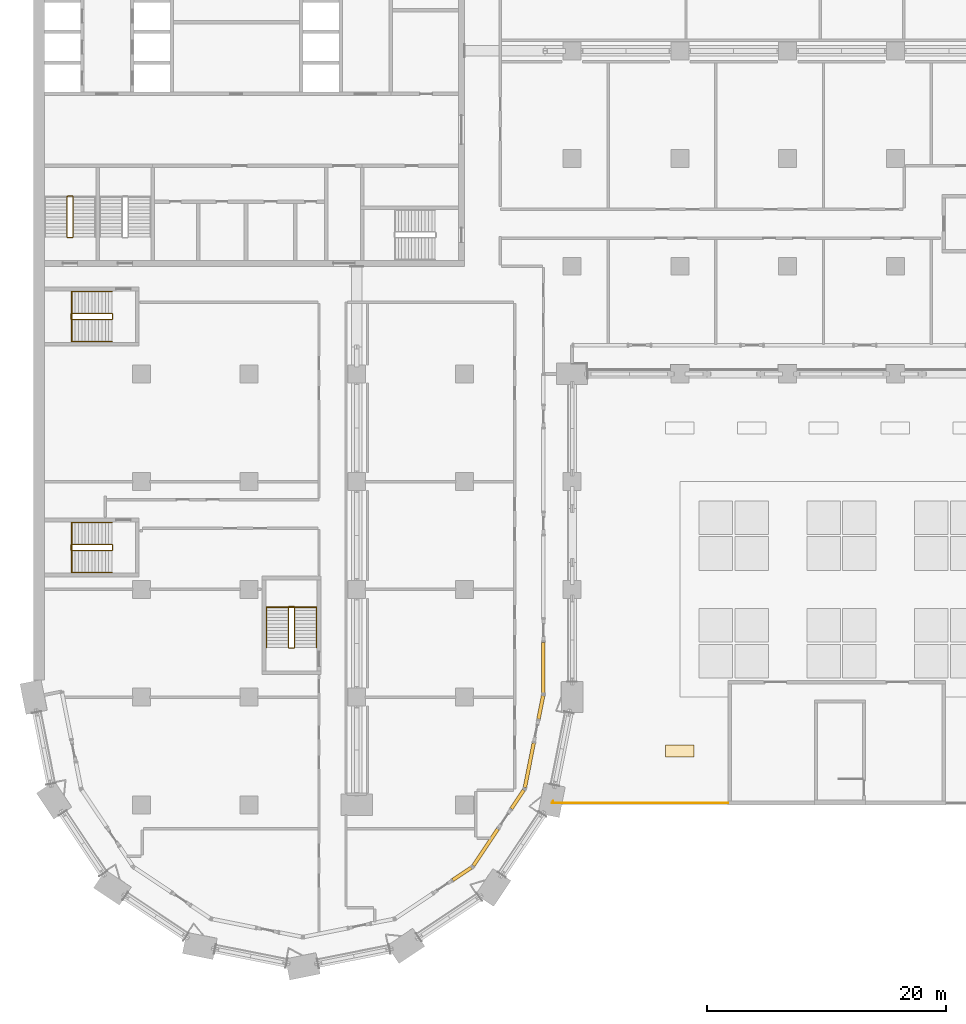
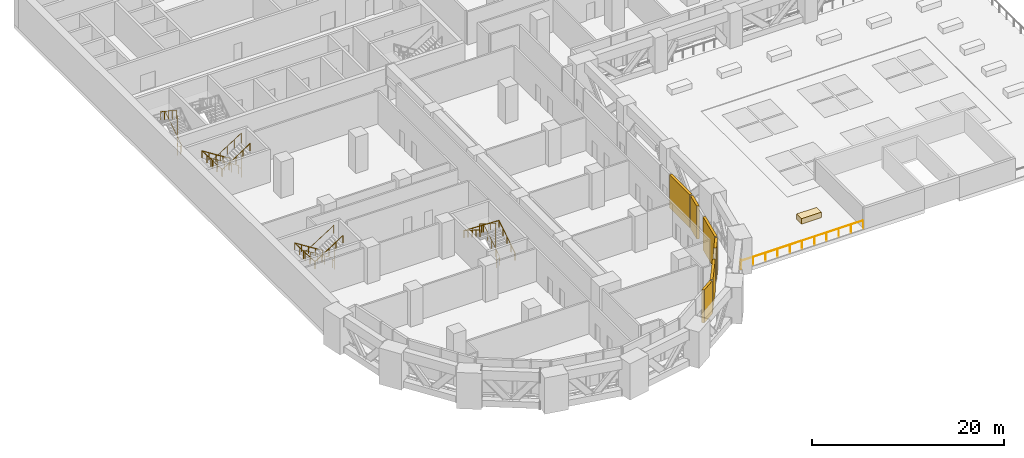
# One storey, part 27 of 31: 8 railings, 6 shading devices, 1 covering.
"""IFC4 building model written with IfcOpenShell, lengths in metres."""

from ifc_helpers import new_model, si_unit, direction, frame, origin, origin_2d, place, context, subcontext, project, spatial, polyline, rectangle, circle, outline, extrude, material, layer, layer_set, type_object, element, save


model = new_model("IFC4")

# Units and contexts
model_context = context("Model", 3, precision=1e-05, world=origin(), true_north=direction((0.0, 1.0)))
body_context = subcontext(model_context, "Body", "Model", "MODEL_VIEW")
ifc_project = project(units=[si_unit("LENGTHUNIT", "METRE"), si_unit("AREAUNIT", "SQUARE_METRE"), si_unit("VOLUMEUNIT", "CUBIC_METRE"), si_unit("PLANEANGLEUNIT", "RADIAN"), si_unit("MASSUNIT", "GRAM", prefix="KILO")], contexts=[model_context])

# Site, building, storey
site_placement = place(None, origin())
site = spatial("IfcSite", under=ifc_project, at=site_placement, CompositionType="ELEMENT")
building_placement = place(site_placement, origin())
building = spatial("IfcBuilding", under=site, at=building_placement, Name="Hunhe Ridgeline Campus", CompositionType="ELEMENT")
storey_placement = place(building_placement, frame((0.0, 0.0, 31.199951171875)))
storey = spatial("IfcBuildingStorey", under=building, at=storey_placement, Name="L06", CompositionType="ELEMENT", Elevation=31.199951171875)

# Shading devices
ifc_material_1 = material(Name="Aluminium 6063", Category="aluminium")
ifc_layer = layer(ifc_material_1, 0.300048828125)
ifc_layer_set = layer_set([ifc_layer], Name="Louvre bank 300 Aluminium 6063")
shading_device_type = type_object("IfcShadingDeviceType", Name="Louvre bank 300 Aluminium 6063", PredefinedType="USERDEFINED", material=ifc_layer_set)
shading_device_1_placement = place(storey_placement, frame((35.80078125, 12.234375, 0.0), z_axis=(0.0, 0.0, 1.0), x_axis=(0.831469622629, 0.555570217564, 0.0)))
element("IfcShadingDevice", 1, at=shading_device_1_placement, inside=storey, type_object=shading_device_type, Name="Louvre bank 12", ObjectType="LOUVRE", PredefinedType="USERDEFINED", context=body_context, shape_type="SweptSolid", body=[
    extrude(rectangle(XDim=1.871826171875, YDim=0.300048828125, at=origin_2d()), origin(), (0.0, 0.0, 1.0), 4.199951171875),
])
shading_device_2_placement = place(storey_placement, frame((37.765625, 14.447509765625, 0.0), z_axis=(0.0, 0.0, 1.0), x_axis=(0.555570362959, 0.83146952548, 0.0)))
element("IfcShadingDevice", 2, at=shading_device_2_placement, inside=storey, type_object=shading_device_type, Name="Louvre bank 13", ObjectType="LOUVRE", PredefinedType="USERDEFINED", context=body_context, shape_type="SweptSolid", body=[
    extrude(rectangle(XDim=3.671875, YDim=0.300048828125, at=origin_2d()), origin(), (0.0, 0.0, 1.0), 4.199951171875),
])
shading_device_3_placement = place(storey_placement, frame((40.43896484375, 18.448486328125, 0.0), z_axis=(0.0, 0.0, 1.0), x_axis=(0.555570217564, 0.831469622629, 0.0)))
element("IfcShadingDevice", 3, at=shading_device_3_placement, inside=storey, type_object=shading_device_type, Name="Louvre bank 14", ObjectType="LOUVRE", PredefinedType="USERDEFINED", context=body_context, shape_type="SweptSolid", body=[
    extrude(rectangle(XDim=1.871826171875, YDim=0.300048828125, at=origin_2d()), origin(), (0.0, 0.0, 1.0), 4.199951171875),
])
shading_device_4_placement = place(storey_placement, frame((41.4189453125, 21.303955078125, 0.0), z_axis=(0.0, 0.0, 1.0), x_axis=(0.195090179937, 0.980785308664, 0.0)))
element("IfcShadingDevice", 4, at=shading_device_4_placement, inside=storey, type_object=shading_device_type, Name="Louvre bank 15", ObjectType="LOUVRE", PredefinedType="USERDEFINED", context=body_context, shape_type="SweptSolid", body=[
    extrude(rectangle(XDim=3.79248046875, YDim=0.300048828125, at=origin_2d()), origin(), (0.0, 0.0, 1.0), 4.199951171875),
])
shading_device_5_placement = place(storey_placement, frame((42.38134765625, 26.1416015625, 0.0), z_axis=(0.0, 0.0, 1.0), x_axis=(0.195090357587, 0.980785273328, 0.0)))
element("IfcShadingDevice", 5, at=shading_device_5_placement, inside=storey, type_object=shading_device_type, Name="Louvre bank 16", ObjectType="LOUVRE", PredefinedType="USERDEFINED", context=body_context, shape_type="SweptSolid", body=[
    extrude(rectangle(XDim=1.992431640625, YDim=0.300048828125, at=origin_2d()), origin(), (0.0, 0.0, 1.0), 4.199951171875),
])
shading_device_6_placement = place(storey_placement, frame((42.59912109375, 29.466796875, 0.0), z_axis=(0.0, 0.0, 1.0), x_axis=(2.24188e-07, 1.0, 0.0)))
element("IfcShadingDevice", 6, at=shading_device_6_placement, inside=storey, type_object=shading_device_type, Name="Louvre bank 17", ObjectType="LOUVRE", PredefinedType="USERDEFINED", context=body_context, shape_type="SweptSolid", body=[
    extrude(rectangle(XDim=4.220703125, YDim=0.300048828125, at=origin_2d()), origin(), (0.0, 0.0, 1.0), 4.199951171875),
])

# Covering
ifc_material_2 = material(Name="Planting soil")
covering_type = type_object("IfcCoveringType", Name="Podium garden planter 700 planting soil", PredefinedType="USERDEFINED", material=ifc_material_2)
covering_placement = place(storey_placement, frame((0.0, 0.0, 0.080078125)))
element("IfcCovering", 7, at=covering_placement, inside=storey, type_object=covering_type, Name="Garden planter 1", ObjectType="PLANTER", PredefinedType="USERDEFINED", context=body_context, shape_type="SweptSolid", body=[
    extrude(outline(polyline([(52.800048828125, 22.0), (55.199951171875, 22.0), (55.199951171875, 23.0), (52.800048828125, 23.0), (52.800048828125, 22.0)])), origin(), (0.0, 0.0, 1.0), 0.699951171875),
])

# Railings
ifc_material_3 = material(Name="Stainless steel balustrade", Category="steel")
railing_type_1 = type_object("IfcRailingType", Name="Stair guard 1100 stainless", PredefinedType="GUARDRAIL", material=ifc_material_3)
railing_1_placement = place(storey_placement, frame((3.300048828125, 65.449951171875, 0.177001953125)))
element("IfcRailing", 8, at=railing_1_placement, inside=storey, type_object=railing_type_1, Name="L06 stair S3 guard", PredefinedType="GUARDRAIL", context=body_context, shape_type="SweptSolid", body=[
    extrude(circle(Radius=0.02392578125, at=origin_2d()), frame((0.0, 0.0, 1.076171875), z_axis=(0.0, 0.845389635667, 0.534150132366), x_axis=(-1.0, 0.0, 0.0)), (0.0, 0.0, 1.0), 3.974609375),
    extrude(circle(Radius=0.02392578125, at=origin_2d()), frame((0.0, 3.360107421875, 3.19921875), z_axis=(-0.707106781187, 0.707106781187, 0.0), x_axis=(-0.707106781187, -0.707106781187, 0.0)), (0.0, 0.0, 1.0), 0.07080078125),
    extrude(circle(Radius=0.02392578125, at=origin_2d()), frame((-0.050048828125, 3.41015625, 3.19921875), z_axis=(-1.0, 0.0, 0.0), x_axis=(0.0, -1.0, 0.0)), (0.0, 0.0, 1.0), 0.39990234375),
    extrude(circle(Radius=0.02392578125, at=origin_2d()), frame((-0.449951171875, 3.41015625, 3.19921875), z_axis=(-0.262545553595, -0.262545553595, 0.928514762713), x_axis=(0.707106781187, -0.707106781187, 0.0)), (0.0, 0.0, 1.0), 0.190673828125),
    extrude(circle(Radius=0.02392578125, at=origin_2d()), frame((-0.5, 3.360107421875, 3.3759765625), z_axis=(0.0, -0.845389635667, 0.534150132366), x_axis=(1.0, 0.0, 0.0)), (0.0, 0.0, 1.0), 3.974609375),
    extrude(circle(Radius=0.02392578125, at=origin_2d()), frame((-0.5, 0.0, 5.4990234375), z_axis=(0.010878661383, -0.010878661383, -0.999881647723), x_axis=(0.707106781187, 0.707106781187, 0.0)), (0.0, 0.0, 1.0), 4.6005859375),
    extrude(circle(Radius=0.02392578125, at=origin_2d()), frame((-0.449951171875, -0.050048828125, 0.89892578125), z_axis=(1.0, 0.0, 0.0), x_axis=(0.0, 1.0, 0.0)), (0.0, 0.0, 1.0), 0.39990234375),
    extrude(circle(Radius=0.02099609375, at=origin_2d()), origin(), (0.0, 0.0, 1.0), 1.052001953125),
    extrude(circle(Radius=0.02099609375, at=origin_2d()), frame((0.0, 0.840087890625, 0.53076171875)), (0.0, 0.0, 1.0), 1.052001953125),
    extrude(circle(Radius=0.02099609375, at=origin_2d()), frame((0.0, 1.68017578125, 1.0615234375)), (0.0, 0.0, 1.0), 1.052001953125),
    extrude(circle(Radius=0.02099609375, at=origin_2d()), frame((0.0, 2.52001953125, 1.59228515625)), (0.0, 0.0, 1.0), 1.052001953125),
    extrude(circle(Radius=0.02099609375, at=origin_2d()), frame((0.0, 3.360107421875, 2.123046875)), (0.0, 0.0, 1.0), 1.052001953125),
    extrude(circle(Radius=0.02099609375, at=origin_2d()), frame((-0.050048828125, 3.41015625, 2.123046875)), (0.0, 0.0, 1.0), 1.052001953125),
    extrude(circle(Radius=0.02099609375, at=origin_2d()), frame((-0.449951171875, 3.41015625, 2.123046875)), (0.0, 0.0, 1.0), 1.052001953125),
    extrude(circle(Radius=0.02099609375, at=origin_2d()), frame((-0.5, 3.360107421875, 2.300048828125)), (0.0, 0.0, 1.0), 1.052001953125),
    extrude(circle(Radius=0.02099609375, at=origin_2d()), frame((-0.5, 2.52001953125, 2.830810546875)), (0.0, 0.0, 1.0), 1.052001953125),
    extrude(circle(Radius=0.02099609375, at=origin_2d()), frame((-0.5, 1.68017578125, 3.361572265625)), (0.0, 0.0, 1.0), 1.052001953125),
    extrude(circle(Radius=0.02099609375, at=origin_2d()), frame((-0.5, 0.840087890625, 3.892333984375)), (0.0, 0.0, 1.0), 1.052001953125),
    extrude(circle(Radius=0.02099609375, at=origin_2d()), frame((-0.5, 0.0, 4.423095703125)), (0.0, 0.0, 1.0), 1.052001953125),
    extrude(circle(Radius=0.02099609375, at=origin_2d()), frame((-0.487548828125, -0.012451171875, 3.27294921875)), (0.0, 0.0, 1.0), 1.052001953125),
    extrude(circle(Radius=0.02099609375, at=origin_2d()), frame((-0.47509765625, -0.02490234375, 2.123046875)), (0.0, 0.0, 1.0), 1.052001953125),
    extrude(circle(Radius=0.02099609375, at=origin_2d()), frame((-0.46240234375, -0.03759765625, 0.97314453125)), (0.0, 0.0, 1.0), 1.052001953125),
    extrude(circle(Radius=0.02099609375, at=origin_2d()), frame((-0.449951171875, -0.050048828125, -0.177001953125)), (0.0, 0.0, 1.0), 1.052001953125),
    extrude(circle(Radius=0.02099609375, at=origin_2d()), frame((-0.050048828125, -0.050048828125, -0.177001953125)), (0.0, 0.0, 1.0), 1.052001953125),
])
railing_2_placement = place(storey_placement, frame((21.800048828125, 31.14990234375, 0.177001953125)))
element("IfcRailing", 9, at=railing_2_placement, inside=storey, type_object=railing_type_1, Name="L06 stair W3 guard", PredefinedType="GUARDRAIL", context=body_context, shape_type="SweptSolid", body=[
    extrude(circle(Radius=0.02392578125, at=origin_2d()), frame((0.0, 0.0, 1.076171875), z_axis=(0.0, 0.845389635667, 0.534150132366), x_axis=(-1.0, 0.0, 0.0)), (0.0, 0.0, 1.0), 3.974609375),
    extrude(circle(Radius=0.02392578125, at=origin_2d()), frame((0.0, 3.360107421875, 3.19921875), z_axis=(-0.707106781187, 0.707106781187, 0.0), x_axis=(-0.707106781187, -0.707106781187, 0.0)), (0.0, 0.0, 1.0), 0.07080078125),
    extrude(circle(Radius=0.02392578125, at=origin_2d()), frame((-0.050048828125, 3.41015625, 3.19921875), z_axis=(-1.0, 0.0, 0.0), x_axis=(0.0, -1.0, 0.0)), (0.0, 0.0, 1.0), 0.39990234375),
    extrude(circle(Radius=0.02392578125, at=origin_2d()), frame((-0.449951171875, 3.41015625, 3.19921875), z_axis=(-0.262545553595, -0.262545553595, 0.928514762713), x_axis=(0.707106781187, -0.707106781187, 0.0)), (0.0, 0.0, 1.0), 0.190673828125),
    extrude(circle(Radius=0.02392578125, at=origin_2d()), frame((-0.5, 3.360107421875, 3.3759765625), z_axis=(0.0, -0.845389635667, 0.534150132366), x_axis=(1.0, 0.0, 0.0)), (0.0, 0.0, 1.0), 3.974609375),
    extrude(circle(Radius=0.02392578125, at=origin_2d()), frame((-0.5, 0.0, 5.4990234375), z_axis=(0.010878667648, -0.010825600977, -0.999882223541), x_axis=(0.705375805398, 0.708833529934, 0.0)), (0.0, 0.0, 1.0), 4.6005859375),
    extrude(circle(Radius=0.02392578125, at=origin_2d()), frame((-0.449951171875, -0.0498046875, 0.89892578125), z_axis=(1.0, 0.0, 0.0), x_axis=(0.0, 1.0, 0.0)), (0.0, 0.0, 1.0), 0.39990234375),
    extrude(circle(Radius=0.02099609375, at=origin_2d()), origin(), (0.0, 0.0, 1.0), 1.052001953125),
    extrude(circle(Radius=0.02099609375, at=origin_2d()), frame((0.0, 0.840087890625, 0.53076171875)), (0.0, 0.0, 1.0), 1.052001953125),
    extrude(circle(Radius=0.02099609375, at=origin_2d()), frame((0.0, 1.68017578125, 1.0615234375)), (0.0, 0.0, 1.0), 1.052001953125),
    extrude(circle(Radius=0.02099609375, at=origin_2d()), frame((0.0, 2.52001953125, 1.59228515625)), (0.0, 0.0, 1.0), 1.052001953125),
    extrude(circle(Radius=0.02099609375, at=origin_2d()), frame((0.0, 3.360107421875, 2.123046875)), (0.0, 0.0, 1.0), 1.052001953125),
    extrude(circle(Radius=0.02099609375, at=origin_2d()), frame((-0.050048828125, 3.41015625, 2.123046875)), (0.0, 0.0, 1.0), 1.052001953125),
    extrude(circle(Radius=0.02099609375, at=origin_2d()), frame((-0.449951171875, 3.41015625, 2.123046875)), (0.0, 0.0, 1.0), 1.052001953125),
    extrude(circle(Radius=0.02099609375, at=origin_2d()), frame((-0.5, 3.360107421875, 2.300048828125)), (0.0, 0.0, 1.0), 1.052001953125),
    extrude(circle(Radius=0.02099609375, at=origin_2d()), frame((-0.5, 2.52001953125, 2.830810546875)), (0.0, 0.0, 1.0), 1.052001953125),
    extrude(circle(Radius=0.02099609375, at=origin_2d()), frame((-0.5, 1.68017578125, 3.361572265625)), (0.0, 0.0, 1.0), 1.052001953125),
    extrude(circle(Radius=0.02099609375, at=origin_2d()), frame((-0.5, 0.840087890625, 3.892333984375)), (0.0, 0.0, 1.0), 1.052001953125),
    extrude(circle(Radius=0.02099609375, at=origin_2d()), frame((-0.5, 0.0, 4.423095703125)), (0.0, 0.0, 1.0), 1.052001953125),
    extrude(circle(Radius=0.02099609375, at=origin_2d()), frame((-0.487548828125, -0.012451171875, 3.27294921875)), (0.0, 0.0, 1.0), 1.052001953125),
    extrude(circle(Radius=0.02099609375, at=origin_2d()), frame((-0.47509765625, -0.02490234375, 2.123046875)), (0.0, 0.0, 1.0), 1.052001953125),
    extrude(circle(Radius=0.02099609375, at=origin_2d()), frame((-0.46240234375, -0.037353515625, 0.97314453125)), (0.0, 0.0, 1.0), 1.052001953125),
    extrude(circle(Radius=0.02099609375, at=origin_2d()), frame((-0.449951171875, -0.0498046875, -0.177001953125)), (0.0, 0.0, 1.0), 1.052001953125),
    extrude(circle(Radius=0.02099609375, at=origin_2d()), frame((-0.050048828125, -0.0498046875, -0.177001953125)), (0.0, 0.0, 1.0), 1.052001953125),
])
railing_3_placement = place(storey_placement, frame((6.550048828125, 39.75, 0.177001953125)))
element("IfcRailing", 10, at=railing_3_placement, inside=storey, type_object=railing_type_1, Name="L06 stair W1 guard", PredefinedType="GUARDRAIL", context=body_context, shape_type="SweptSolid", body=[
    extrude(circle(Radius=0.02392578125, at=origin_2d()), frame((0.0, 0.0, 1.076171875), z_axis=(-0.845389635667, 0.0, 0.534150132366), x_axis=(0.0, -1.0, 0.0)), (0.0, 0.0, 1.0), 3.974609375),
    extrude(circle(Radius=0.02392578125, at=origin_2d()), frame((-3.360107421875, 0.0, 3.19921875), z_axis=(-0.707106781187, -0.707106781187, 0.0), x_axis=(0.707106781187, -0.707106781187, 0.0)), (0.0, 0.0, 1.0), 0.07080078125),
    extrude(circle(Radius=0.02392578125, at=origin_2d()), frame((-3.41015625, -0.050048828125, 3.19921875), z_axis=(0.0, -1.0, 0.0), x_axis=(1.0, 0.0, 0.0)), (0.0, 0.0, 1.0), 0.39990234375),
    extrude(circle(Radius=0.02392578125, at=origin_2d()), frame((-3.41015625, -0.449951171875, 3.19921875), z_axis=(0.262545553595, -0.262545553595, 0.928514762713), x_axis=(0.707106781187, 0.707106781187, 0.0)), (0.0, 0.0, 1.0), 0.190673828125),
    extrude(circle(Radius=0.02392578125, at=origin_2d()), frame((-3.360107421875, -0.5, 3.3759765625), z_axis=(0.845389635667, 0.0, 0.534150132366), x_axis=(0.0, 1.0, 0.0)), (0.0, 0.0, 1.0), 3.974609375),
    extrude(circle(Radius=0.02392578125, at=origin_2d()), frame((0.0, -0.5, 5.4990234375), z_axis=(0.010878661383, 0.010878661383, -0.999881647723), x_axis=(-0.707106781187, 0.707106781187, 0.0)), (0.0, 0.0, 1.0), 4.6005859375),
    extrude(circle(Radius=0.02392578125, at=origin_2d()), frame((0.050048828125, -0.449951171875, 0.89892578125), z_axis=(0.0, 1.0, 0.0), x_axis=(-1.0, 0.0, 0.0)), (0.0, 0.0, 1.0), 0.39990234375),
    extrude(circle(Radius=0.02099609375, at=origin_2d()), origin(), (0.0, 0.0, 1.0), 1.052001953125),
    extrude(circle(Radius=0.02099609375, at=origin_2d()), frame((-0.840087890625, 0.0, 0.53076171875)), (0.0, 0.0, 1.0), 1.052001953125),
    extrude(circle(Radius=0.02099609375, at=origin_2d()), frame((-1.68017578125, 0.0, 1.0615234375)), (0.0, 0.0, 1.0), 1.052001953125),
    extrude(circle(Radius=0.02099609375, at=origin_2d()), frame((-2.52001953125, 0.0, 1.59228515625)), (0.0, 0.0, 1.0), 1.052001953125),
    extrude(circle(Radius=0.02099609375, at=origin_2d()), frame((-3.360107421875, 0.0, 2.123046875)), (0.0, 0.0, 1.0), 1.052001953125),
    extrude(circle(Radius=0.02099609375, at=origin_2d()), frame((-3.41015625, -0.050048828125, 2.123046875)), (0.0, 0.0, 1.0), 1.052001953125),
    extrude(circle(Radius=0.02099609375, at=origin_2d()), frame((-3.41015625, -0.449951171875, 2.123046875)), (0.0, 0.0, 1.0), 1.052001953125),
    extrude(circle(Radius=0.02099609375, at=origin_2d()), frame((-3.360107421875, -0.5, 2.300048828125)), (0.0, 0.0, 1.0), 1.052001953125),
    extrude(circle(Radius=0.02099609375, at=origin_2d()), frame((-2.52001953125, -0.5, 2.830810546875)), (0.0, 0.0, 1.0), 1.052001953125),
    extrude(circle(Radius=0.02099609375, at=origin_2d()), frame((-1.68017578125, -0.5, 3.361572265625)), (0.0, 0.0, 1.0), 1.052001953125),
    extrude(circle(Radius=0.02099609375, at=origin_2d()), frame((-0.840087890625, -0.5, 3.892333984375)), (0.0, 0.0, 1.0), 1.052001953125),
    extrude(circle(Radius=0.02099609375, at=origin_2d()), frame((0.0, -0.5, 4.423095703125)), (0.0, 0.0, 1.0), 1.052001953125),
    extrude(circle(Radius=0.02099609375, at=origin_2d()), frame((0.012451171875, -0.487548828125, 3.27294921875)), (0.0, 0.0, 1.0), 1.052001953125),
    extrude(circle(Radius=0.02099609375, at=origin_2d()), frame((0.02490234375, -0.47509765625, 2.123046875)), (0.0, 0.0, 1.0), 1.052001953125),
    extrude(circle(Radius=0.02099609375, at=origin_2d()), frame((0.03759765625, -0.46240234375, 0.97314453125)), (0.0, 0.0, 1.0), 1.052001953125),
    extrude(circle(Radius=0.02099609375, at=origin_2d()), frame((0.050048828125, -0.449951171875, -0.177001953125)), (0.0, 0.0, 1.0), 1.052001953125),
    extrude(circle(Radius=0.02099609375, at=origin_2d()), frame((0.050048828125, -0.050048828125, -0.177001953125)), (0.0, 0.0, 1.0), 1.052001953125),
])
railing_4_placement = place(storey_placement, frame((6.550048828125, 59.050048828125, 0.177001953125)))
element("IfcRailing", 11, at=railing_4_placement, inside=storey, type_object=railing_type_1, Name="L06 stair W2 guard", PredefinedType="GUARDRAIL", context=body_context, shape_type="SweptSolid", body=[
    extrude(circle(Radius=0.02392578125, at=origin_2d()), frame((0.0, 0.0, 1.076171875), z_axis=(-0.845389635667, 0.0, 0.534150132366), x_axis=(0.0, -1.0, 0.0)), (0.0, 0.0, 1.0), 3.974609375),
    extrude(circle(Radius=0.02392578125, at=origin_2d()), frame((-3.360107421875, 0.0, 3.19921875), z_axis=(-0.707106781187, -0.707106781187, 0.0), x_axis=(0.707106781187, -0.707106781187, 0.0)), (0.0, 0.0, 1.0), 0.07080078125),
    extrude(circle(Radius=0.02392578125, at=origin_2d()), frame((-3.41015625, -0.050048828125, 3.19921875), z_axis=(0.0, -1.0, 0.0), x_axis=(1.0, 0.0, 0.0)), (0.0, 0.0, 1.0), 0.39990234375),
    extrude(circle(Radius=0.02392578125, at=origin_2d()), frame((-3.41015625, -0.449951171875, 3.19921875), z_axis=(0.262545553595, -0.262545553595, 0.928514762713), x_axis=(0.707106781187, 0.707106781187, 0.0)), (0.0, 0.0, 1.0), 0.190673828125),
    extrude(circle(Radius=0.02392578125, at=origin_2d()), frame((-3.360107421875, -0.5, 3.3759765625), z_axis=(0.845389635667, 0.0, 0.534150132366), x_axis=(0.0, 1.0, 0.0)), (0.0, 0.0, 1.0), 3.974609375),
    extrude(circle(Radius=0.02392578125, at=origin_2d()), frame((0.0, -0.5, 5.4990234375), z_axis=(0.010878661383, 0.010878661383, -0.999881647723), x_axis=(-0.707106781187, 0.707106781187, 0.0)), (0.0, 0.0, 1.0), 4.6005859375),
    extrude(circle(Radius=0.02392578125, at=origin_2d()), frame((0.050048828125, -0.449951171875, 0.89892578125), z_axis=(0.0, 1.0, 0.0), x_axis=(-1.0, 0.0, 0.0)), (0.0, 0.0, 1.0), 0.39990234375),
    extrude(circle(Radius=0.02099609375, at=origin_2d()), origin(), (0.0, 0.0, 1.0), 1.052001953125),
    extrude(circle(Radius=0.02099609375, at=origin_2d()), frame((-0.840087890625, 0.0, 0.53076171875)), (0.0, 0.0, 1.0), 1.052001953125),
    extrude(circle(Radius=0.02099609375, at=origin_2d()), frame((-1.68017578125, 0.0, 1.0615234375)), (0.0, 0.0, 1.0), 1.052001953125),
    extrude(circle(Radius=0.02099609375, at=origin_2d()), frame((-2.52001953125, 0.0, 1.59228515625)), (0.0, 0.0, 1.0), 1.052001953125),
    extrude(circle(Radius=0.02099609375, at=origin_2d()), frame((-3.360107421875, 0.0, 2.123046875)), (0.0, 0.0, 1.0), 1.052001953125),
    extrude(circle(Radius=0.02099609375, at=origin_2d()), frame((-3.41015625, -0.050048828125, 2.123046875)), (0.0, 0.0, 1.0), 1.052001953125),
    extrude(circle(Radius=0.02099609375, at=origin_2d()), frame((-3.41015625, -0.449951171875, 2.123046875)), (0.0, 0.0, 1.0), 1.052001953125),
    extrude(circle(Radius=0.02099609375, at=origin_2d()), frame((-3.360107421875, -0.5, 2.300048828125)), (0.0, 0.0, 1.0), 1.052001953125),
    extrude(circle(Radius=0.02099609375, at=origin_2d()), frame((-2.52001953125, -0.5, 2.830810546875)), (0.0, 0.0, 1.0), 1.052001953125),
    extrude(circle(Radius=0.02099609375, at=origin_2d()), frame((-1.68017578125, -0.5, 3.361572265625)), (0.0, 0.0, 1.0), 1.052001953125),
    extrude(circle(Radius=0.02099609375, at=origin_2d()), frame((-0.840087890625, -0.5, 3.892333984375)), (0.0, 0.0, 1.0), 1.052001953125),
    extrude(circle(Radius=0.02099609375, at=origin_2d()), frame((0.0, -0.5, 4.423095703125)), (0.0, 0.0, 1.0), 1.052001953125),
    extrude(circle(Radius=0.02099609375, at=origin_2d()), frame((0.012451171875, -0.487548828125, 3.27294921875)), (0.0, 0.0, 1.0), 1.052001953125),
    extrude(circle(Radius=0.02099609375, at=origin_2d()), frame((0.02490234375, -0.47509765625, 2.123046875)), (0.0, 0.0, 1.0), 1.052001953125),
    extrude(circle(Radius=0.02099609375, at=origin_2d()), frame((0.03759765625, -0.46240234375, 0.97314453125)), (0.0, 0.0, 1.0), 1.052001953125),
    extrude(circle(Radius=0.02099609375, at=origin_2d()), frame((0.050048828125, -0.449951171875, -0.177001953125)), (0.0, 0.0, 1.0), 1.052001953125),
    extrude(circle(Radius=0.02099609375, at=origin_2d()), frame((0.050048828125, -0.050048828125, -0.177001953125)), (0.0, 0.0, 1.0), 1.052001953125),
])
ifc_material_4 = material(Name="Stainless steel handrail", Category="steel")
railing_type_2 = type_object("IfcRailingType", Name="Stair handrail 900 stainless", PredefinedType="HANDRAIL", material=ifc_material_4)
railing_5_placement = place(storey_placement, frame((23.64990234375, 31.14990234375, 0.177001953125)))
element("IfcRailing", 12, at=railing_5_placement, inside=storey, type_object=railing_type_2, Name="L06 stair W3 handrail", PredefinedType="HANDRAIL", context=body_context, shape_type="SweptSolid", body=[
    extrude(circle(Radius=0.02392578125, at=origin_2d()), frame((0.0, 0.0, 0.8759765625), z_axis=(0.0, 0.845389635667, 0.534150132366), x_axis=(-1.0, 0.0, 0.0)), (0.0, 0.0, 1.0), 3.974609375),
    extrude(circle(Radius=0.02392578125, at=origin_2d()), frame((0.0, 3.360107421875, 2.9990234375), z_axis=(-0.999113130752, 0.0, 0.042106436075), x_axis=(0.0, -1.0, 0.0)), (0.0, 0.0, 1.0), 4.20361328125),
    extrude(circle(Radius=0.02392578125, at=origin_2d()), frame((-4.199951171875, 3.360107421875, 3.17578125), z_axis=(0.0, -0.845389635667, 0.534150132366), x_axis=(1.0, 0.0, 0.0)), (0.0, 0.0, 1.0), 3.974609375),
    extrude(circle(Radius=0.02099609375, at=origin_2d()), origin(), (0.0, 0.0, 1.0), 0.851806640625),
    extrude(circle(Radius=0.02099609375, at=origin_2d()), frame((0.0, 0.840087890625, 0.53076171875)), (0.0, 0.0, 1.0), 0.851806640625),
    extrude(circle(Radius=0.02099609375, at=origin_2d()), frame((0.0, 1.68017578125, 1.0615234375)), (0.0, 0.0, 1.0), 0.851806640625),
    extrude(circle(Radius=0.02099609375, at=origin_2d()), frame((0.0, 2.52001953125, 1.59228515625)), (0.0, 0.0, 1.0), 0.851806640625),
    extrude(circle(Radius=0.02099609375, at=origin_2d()), frame((0.0, 3.360107421875, 2.123046875)), (0.0, 0.0, 1.0), 0.851806640625),
    extrude(circle(Radius=0.02099609375, at=origin_2d()), frame((-1.050048828125, 3.360107421875, 2.167236328125)), (0.0, 0.0, 1.0), 0.851806640625),
    extrude(circle(Radius=0.02099609375, at=origin_2d()), frame((-2.10009765625, 3.360107421875, 2.21142578125)), (0.0, 0.0, 1.0), 0.851806640625),
    extrude(circle(Radius=0.02099609375, at=origin_2d()), frame((-3.14990234375, 3.360107421875, 2.255859375)), (0.0, 0.0, 1.0), 0.851806640625),
    extrude(circle(Radius=0.02099609375, at=origin_2d()), frame((-4.199951171875, 3.360107421875, 2.300048828125)), (0.0, 0.0, 1.0), 0.851806640625),
    extrude(circle(Radius=0.02099609375, at=origin_2d()), frame((-4.199951171875, 2.52001953125, 2.830810546875)), (0.0, 0.0, 1.0), 0.851806640625),
    extrude(circle(Radius=0.02099609375, at=origin_2d()), frame((-4.199951171875, 1.68017578125, 3.361572265625)), (0.0, 0.0, 1.0), 0.851806640625),
    extrude(circle(Radius=0.02099609375, at=origin_2d()), frame((-4.199951171875, 0.840087890625, 3.892333984375)), (0.0, 0.0, 1.0), 0.851806640625),
    extrude(circle(Radius=0.02099609375, at=origin_2d()), frame((-4.199951171875, 0.0, 4.423095703125)), (0.0, 0.0, 1.0), 0.851806640625),
])
railing_6_placement = place(storey_placement, frame((6.550048828125, 41.60009765625, 0.177001953125)))
element("IfcRailing", 13, at=railing_6_placement, inside=storey, type_object=railing_type_2, Name="L06 stair W1 handrail", PredefinedType="HANDRAIL", context=body_context, shape_type="SweptSolid", body=[
    extrude(circle(Radius=0.02392578125, at=origin_2d()), frame((0.0, 0.0, 0.8759765625), z_axis=(-0.845389635667, 0.0, 0.534150132366), x_axis=(0.0, -1.0, 0.0)), (0.0, 0.0, 1.0), 3.974609375),
    extrude(circle(Radius=0.02392578125, at=origin_2d()), frame((-3.360107421875, 0.0, 2.9990234375), z_axis=(0.0, -0.999113233712, 0.042103992934), x_axis=(1.0, 0.0, 0.0)), (0.0, 0.0, 1.0), 4.203857421875),
    extrude(circle(Radius=0.02392578125, at=origin_2d()), frame((-3.360107421875, -4.2001953125, 3.17578125), z_axis=(0.845389635667, 0.0, 0.534150132366), x_axis=(0.0, 1.0, 0.0)), (0.0, 0.0, 1.0), 3.974609375),
    extrude(circle(Radius=0.02099609375, at=origin_2d()), origin(), (0.0, 0.0, 1.0), 0.851806640625),
    extrude(circle(Radius=0.02099609375, at=origin_2d()), frame((-0.840087890625, 0.0, 0.53076171875)), (0.0, 0.0, 1.0), 0.851806640625),
    extrude(circle(Radius=0.02099609375, at=origin_2d()), frame((-1.68017578125, 0.0, 1.0615234375)), (0.0, 0.0, 1.0), 0.851806640625),
    extrude(circle(Radius=0.02099609375, at=origin_2d()), frame((-2.52001953125, 0.0, 1.59228515625)), (0.0, 0.0, 1.0), 0.851806640625),
    extrude(circle(Radius=0.02099609375, at=origin_2d()), frame((-3.360107421875, 0.0, 2.123046875)), (0.0, 0.0, 1.0), 0.851806640625),
    extrude(circle(Radius=0.02099609375, at=origin_2d()), frame((-3.360107421875, -1.050048828125, 2.167236328125)), (0.0, 0.0, 1.0), 0.851806640625),
    extrude(circle(Radius=0.02099609375, at=origin_2d()), frame((-3.360107421875, -2.10009765625, 2.21142578125)), (0.0, 0.0, 1.0), 0.851806640625),
    extrude(circle(Radius=0.02099609375, at=origin_2d()), frame((-3.360107421875, -3.150146484375, 2.255859375)), (0.0, 0.0, 1.0), 0.851806640625),
    extrude(circle(Radius=0.02099609375, at=origin_2d()), frame((-3.360107421875, -4.2001953125, 2.300048828125)), (0.0, 0.0, 1.0), 0.851806640625),
    extrude(circle(Radius=0.02099609375, at=origin_2d()), frame((-2.52001953125, -4.2001953125, 2.830810546875)), (0.0, 0.0, 1.0), 0.851806640625),
    extrude(circle(Radius=0.02099609375, at=origin_2d()), frame((-1.68017578125, -4.2001953125, 3.361572265625)), (0.0, 0.0, 1.0), 0.851806640625),
    extrude(circle(Radius=0.02099609375, at=origin_2d()), frame((-0.840087890625, -4.2001953125, 3.892333984375)), (0.0, 0.0, 1.0), 0.851806640625),
    extrude(circle(Radius=0.02099609375, at=origin_2d()), frame((0.0, -4.2001953125, 4.423095703125)), (0.0, 0.0, 1.0), 0.851806640625),
])
railing_7_placement = place(storey_placement, frame((6.550048828125, 60.89990234375, 0.177001953125)))
element("IfcRailing", 14, at=railing_7_placement, inside=storey, type_object=railing_type_2, Name="L06 stair W2 handrail", PredefinedType="HANDRAIL", context=body_context, shape_type="SweptSolid", body=[
    extrude(circle(Radius=0.02392578125, at=origin_2d()), frame((0.0, 0.0, 0.8759765625), z_axis=(-0.845389635667, 0.0, 0.534150132366), x_axis=(0.0, -1.0, 0.0)), (0.0, 0.0, 1.0), 3.974609375),
    extrude(circle(Radius=0.02392578125, at=origin_2d()), frame((-3.360107421875, 0.0, 2.9990234375), z_axis=(0.0, -0.999113130752, 0.042106436075), x_axis=(1.0, 0.0, 0.0)), (0.0, 0.0, 1.0), 4.20361328125),
    extrude(circle(Radius=0.02392578125, at=origin_2d()), frame((-3.360107421875, -4.199951171875, 3.17578125), z_axis=(0.845389635667, 0.0, 0.534150132366), x_axis=(0.0, 1.0, 0.0)), (0.0, 0.0, 1.0), 3.974609375),
    extrude(circle(Radius=0.02099609375, at=origin_2d()), origin(), (0.0, 0.0, 1.0), 0.851806640625),
    extrude(circle(Radius=0.02099609375, at=origin_2d()), frame((-0.840087890625, 0.0, 0.53076171875)), (0.0, 0.0, 1.0), 0.851806640625),
    extrude(circle(Radius=0.02099609375, at=origin_2d()), frame((-1.68017578125, 0.0, 1.0615234375)), (0.0, 0.0, 1.0), 0.851806640625),
    extrude(circle(Radius=0.02099609375, at=origin_2d()), frame((-2.52001953125, 0.0, 1.59228515625)), (0.0, 0.0, 1.0), 0.851806640625),
    extrude(circle(Radius=0.02099609375, at=origin_2d()), frame((-3.360107421875, 0.0, 2.123046875)), (0.0, 0.0, 1.0), 0.851806640625),
    extrude(circle(Radius=0.02099609375, at=origin_2d()), frame((-3.360107421875, -1.050048828125, 2.167236328125)), (0.0, 0.0, 1.0), 0.851806640625),
    extrude(circle(Radius=0.02099609375, at=origin_2d()), frame((-3.360107421875, -2.10009765625, 2.21142578125)), (0.0, 0.0, 1.0), 0.851806640625),
    extrude(circle(Radius=0.02099609375, at=origin_2d()), frame((-3.360107421875, -3.14990234375, 2.255859375)), (0.0, 0.0, 1.0), 0.851806640625),
    extrude(circle(Radius=0.02099609375, at=origin_2d()), frame((-3.360107421875, -4.199951171875, 2.300048828125)), (0.0, 0.0, 1.0), 0.851806640625),
    extrude(circle(Radius=0.02099609375, at=origin_2d()), frame((-2.52001953125, -4.199951171875, 2.830810546875)), (0.0, 0.0, 1.0), 0.851806640625),
    extrude(circle(Radius=0.02099609375, at=origin_2d()), frame((-1.68017578125, -4.199951171875, 3.361572265625)), (0.0, 0.0, 1.0), 0.851806640625),
    extrude(circle(Radius=0.02099609375, at=origin_2d()), frame((-0.840087890625, -4.199951171875, 3.892333984375)), (0.0, 0.0, 1.0), 0.851806640625),
    extrude(circle(Radius=0.02099609375, at=origin_2d()), frame((0.0, -4.199951171875, 4.423095703125)), (0.0, 0.0, 1.0), 0.851806640625),
])
ifc_material_5 = material(Name="Steel Q235", Category="steel")
railing_type_3 = type_object("IfcRailingType", Name="Terrace parapet guard 1100", PredefinedType="GUARDRAIL", material=ifc_material_5)
railing_8_placement = place(storey_placement, frame((58.0, 18.14990234375, 0.0)))
element("IfcRailing", 15, at=railing_8_placement, inside=storey, type_object=railing_type_3, Name="Terrace guard 1", PredefinedType="GUARDRAIL", context=body_context, shape_type="SweptSolid", body=[
    extrude(circle(Radius=0.02392578125, at=origin_2d()), frame((0.0, 0.0, 1.076171875), z_axis=(-1.0, 0.0, 0.0), x_axis=(0.0, -1.0, 0.0)), (0.0, 0.0, 1.0), 14.6923828125),
    extrude(circle(Radius=0.02392578125, at=origin_2d()), frame((-14.6923828125, 0.0, 1.076171875), z_axis=(0.554700196225, 0.832050294338, 0.0), x_axis=(-0.832050294338, 0.554700196225, 0.0)), (0.0, 0.0, 1.0), 0.180419921875),
    extrude(circle(Radius=0.02099609375, at=origin_2d()), origin(), (0.0, 0.0, 1.0), 1.052001953125),
    extrude(circle(Radius=0.02099609375, at=origin_2d()), frame((-1.46923828125, 0.0, 0.0)), (0.0, 0.0, 1.0), 1.052001953125),
    extrude(circle(Radius=0.02099609375, at=origin_2d()), frame((-2.9384765625, 0.0, 0.0)), (0.0, 0.0, 1.0), 1.052001953125),
    extrude(circle(Radius=0.02099609375, at=origin_2d()), frame((-4.40771484375, 0.0, 0.0)), (0.0, 0.0, 1.0), 1.052001953125),
    extrude(circle(Radius=0.02099609375, at=origin_2d()), frame((-5.876953125, 0.0, 0.0)), (0.0, 0.0, 1.0), 1.052001953125),
    extrude(circle(Radius=0.02099609375, at=origin_2d()), frame((-7.34619140625, 0.0, 0.0)), (0.0, 0.0, 1.0), 1.052001953125),
    extrude(circle(Radius=0.02099609375, at=origin_2d()), frame((-8.8154296875, 0.0, 0.0)), (0.0, 0.0, 1.0), 1.052001953125),
    extrude(circle(Radius=0.02099609375, at=origin_2d()), frame((-10.28466796875, 0.0, 0.0)), (0.0, 0.0, 1.0), 1.052001953125),
    extrude(circle(Radius=0.02099609375, at=origin_2d()), frame((-11.75390625, 0.0, 0.0)), (0.0, 0.0, 1.0), 1.052001953125),
    extrude(circle(Radius=0.02099609375, at=origin_2d()), frame((-13.22314453125, 0.0, 0.0)), (0.0, 0.0, 1.0), 1.052001953125),
    extrude(circle(Radius=0.02099609375, at=origin_2d()), frame((-14.6923828125, 0.0, 0.0)), (0.0, 0.0, 1.0), 1.052001953125),
    extrude(circle(Radius=0.02099609375, at=origin_2d()), frame((-14.59228515625, 0.150146484375, 0.0)), (0.0, 0.0, 1.0), 1.052001953125),
])

save(model, "model.ifc")
